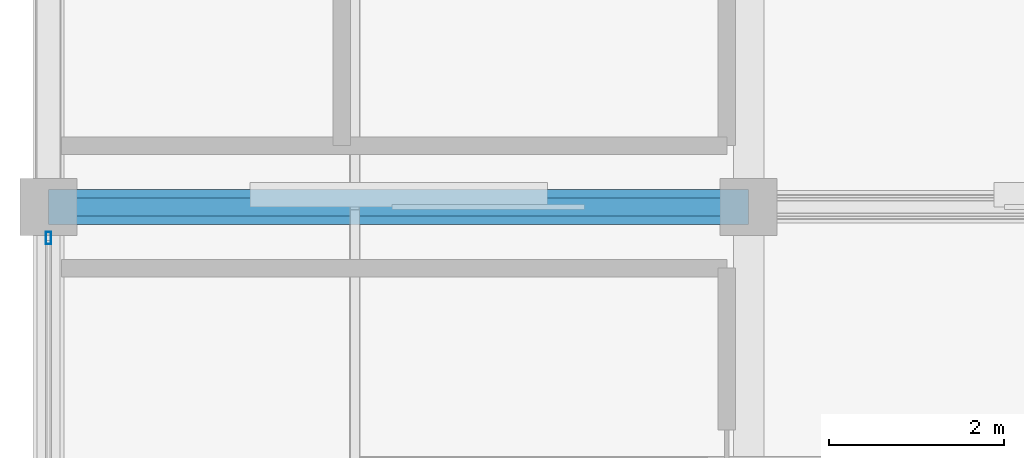
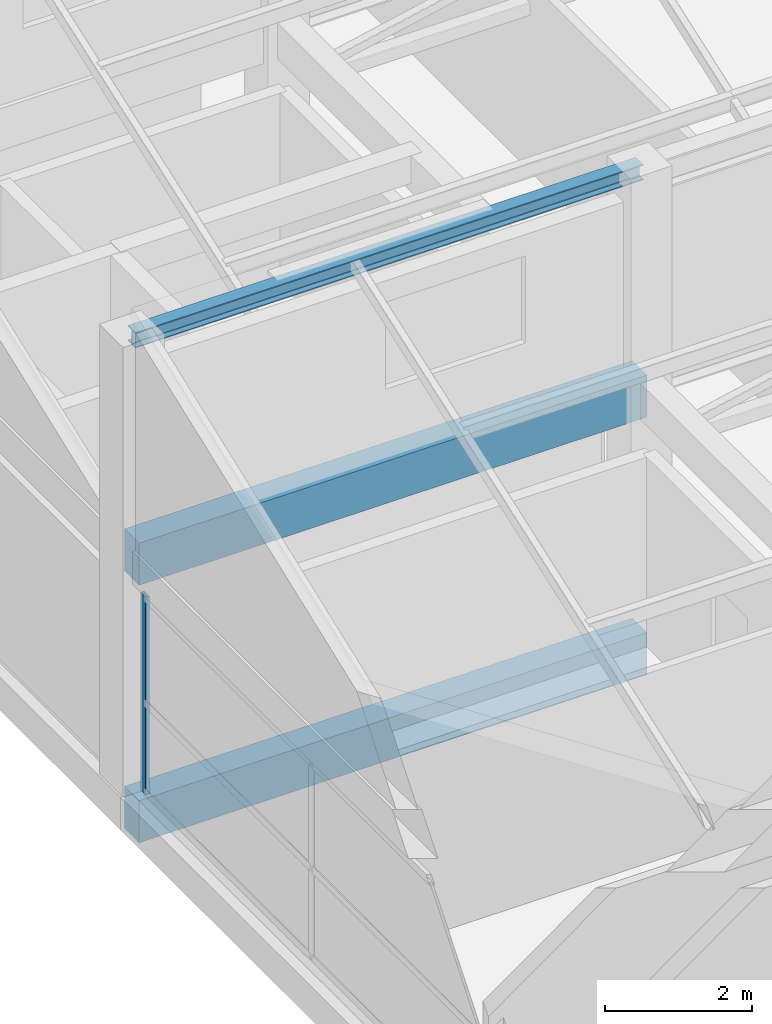
# One storey, part 17 of 35: 3 beams, 1 member, 1 element without a shape of its own.
"""IFC4 building model written with IfcOpenShell, lengths in metres."""

from ifc_helpers import new_model, si_unit, direction, frame, origin, origin_2d, place, context, subcontext, project, spatial, rectangle, hollow_rectangle, i_section, extrude, material, layer, layer_set, material_profile, profile_set, type_object, element, aggregate, save


model = new_model("IFC4")

# Units and contexts
model_context = context("Model", 3, precision=1e-05, world=origin(), true_north=direction((0.0, 1.0)))
body_context = subcontext(model_context, "Body", "Model", "MODEL_VIEW")
ifc_project = project(units=[si_unit("LENGTHUNIT", "METRE"), si_unit("AREAUNIT", "SQUARE_METRE"), si_unit("VOLUMEUNIT", "CUBIC_METRE"), si_unit("PLANEANGLEUNIT", "RADIAN"), si_unit("MASSUNIT", "GRAM", prefix="KILO")], contexts=[model_context])

# Site, building, storey
site_placement = place(None, origin())
site = spatial("IfcSite", under=ifc_project, at=site_placement, CompositionType="ELEMENT")
building_placement = place(site_placement, origin())
building = spatial("IfcBuilding", under=site, at=building_placement, Name="Sillaruma Civic Art Gallery", CompositionType="ELEMENT")
storey_placement = place(building_placement, frame((0.0, 0.0, 74.4599609375)))
storey = spatial("IfcBuildingStorey", under=building, at=storey_placement, Name="L15", CompositionType="ELEMENT", Elevation=74.4599609375)

# Beams
ifc_material_1 = material(Name="Concrete H35 (35 MPa)", Category="concrete")
ifc_material_profile_1 = material_profile(ifc_material_1, rectangle(XDim=0.39990234375, YDim=0.699951171875, at=origin_2d()), Name="RCB400x700")
ifc_profile_set_1 = profile_set([ifc_material_profile_1], Name="Concrete H35 (35 MPa)")
beam_type_1 = type_object("IfcBeamType", Name="BM-BEAM-RCB400x700", PredefinedType="BEAM", material=ifc_profile_set_1)
beam_1_placement = place(storey_placement, frame((62.0, 69.300048828125, -0.599853515625), z_axis=(1.0, 0.0, 0.0), x_axis=(0.0, 1.0, 0.0)))
element("IfcBeam", 1, at=beam_1_placement, inside=storey, type_object=beam_type_1, Name="Beam BM-04 (L14:8:F-G)", PredefinedType="BEAM", context=body_context, shape_type="SweptSolid", body=[
    extrude(rectangle(XDim=0.39990234375, YDim=0.699951171875, at=origin_2d()), origin(), (0.0, 0.0, 1.0), 8.0),
])
ifc_material_profile_2 = material_profile(ifc_material_1, rectangle(XDim=0.39990234375, YDim=0.699951171875, at=origin_2d()), Name="RCB400x700")
ifc_profile_set_2 = profile_set([ifc_material_profile_2], Name="Concrete H35 (35 MPa)")
beam_type_2 = type_object("IfcBeamType", Name="BM-ROF-RCB400x700", PredefinedType="BEAM", material=ifc_profile_set_2)
beam_2_placement = place(storey_placement, frame((62.0, 69.300048828125, 3.68994140625), z_axis=(1.0, 0.0, 0.0), x_axis=(0.0, 1.0, 0.0)))
element("IfcBeam", 2, at=beam_2_placement, inside=storey, type_object=beam_type_2, Name="Beam BRF-04 (L15:8:F-G)", PredefinedType="BEAM", context=body_context, shape_type="SweptSolid", body=[
    extrude(rectangle(XDim=0.39990234375, YDim=0.699951171875, at=origin_2d()), origin(), (0.0, 0.0, 1.0), 8.0),
])
ifc_material_2 = material(Name="Structural Steel ASTM A992 Gr.50", Category="steel")
ifc_material_profile_3 = material_profile(ifc_material_2, i_section(OverallWidth=0.2041015625, OverallDepth=0.257080078125, WebThickness=0.0087890625, FlangeThickness=0.015625, FilletRadius=0.012939453125, at=origin_2d()), Name="W250x67")
ifc_profile_set_3 = profile_set([ifc_material_profile_3], Name="Structural Steel ASTM A992 Gr.50")
beam_type_3 = type_object("IfcBeamType", Name="BM-SAW-W250x67", PredefinedType="BEAM", material=ifc_profile_set_3)
beam_3_placement = place(storey_placement, frame((62.0, 69.300048828125, 7.360107421875), z_axis=(1.0, 0.0, 0.0), x_axis=(0.0, 1.0, 0.0)))
element("IfcBeam", 3, at=beam_3_placement, inside=storey, type_object=beam_type_3, Name="Sawtooth Ridge Steel Girder (3-FG)", PredefinedType="BEAM", context=body_context, shape_type="SweptSolid", body=[
    extrude(i_section(OverallWidth=0.2041015625, OverallDepth=0.257080078125, WebThickness=0.0087890625, FlangeThickness=0.015625, FilletRadius=0.012939453125, at=origin_2d()), origin(), (0.0, 0.0, 1.0), 8.0),
])

# Curtain wall, member
ifc_material_3 = material(Name="Thermally Broken Extruded Aluminium 6063-T6", Category="aluminium")
ifc_layer = layer(ifc_material_3, 0.139892578125, Name="Thermally Broken Extruded Aluminium 6063-T6")
ifc_layer_set = layer_set([ifc_layer], Name="Thermally Broken Extruded Aluminium 6063-T6")
curtain_wall_type = type_object("IfcCurtainWallType", Name="CW-UNI-113", PredefinedType="NOTDEFINED", material=ifc_layer_set)
curtain_wall_placement = place(storey_placement, origin())
curtain_wall = element("IfcCurtainWall", 4, at=curtain_wall_placement, inside=storey, type_object=curtain_wall_type, Name="Unitised Curtain Wall CW-113 (CW-L15-WBW-5)", PredefinedType="NOTDEFINED")
ifc_material_profile_4 = material_profile(ifc_material_3, hollow_rectangle(XDim=0.06005859375, YDim=0.139892578125, WallThickness=0.00341796875, at=origin_2d()), Name="CWM60x140")
ifc_profile_set_4 = profile_set([ifc_material_profile_4], Name="Thermally Broken Extruded Aluminium 6063-T6")
member_type = type_object("IfcMemberType", Name="MEM-MUL-CWM60x140", PredefinedType="MULLION", material=ifc_profile_set_4)
member_placement = place(storey_placement, frame((62.0, 68.945068359375, 0.0), z_axis=(0.0, 0.0, 1.0), x_axis=(-1.0, 0.0, 0.0)))
member = element("IfcMember", 5, at=member_placement, type_object=member_type, Name="CW-113 mullion 3", PredefinedType="MULLION", context=body_context, shape_type="SweptSolid", body=[
    extrude(hollow_rectangle(XDim=0.06005859375, YDim=0.139892578125, WallThickness=0.00341796875, at=origin_2d()), origin(), (0.0, 0.0, 1.0), 3.2900390625),
])
aggregate(curtain_wall, [member])

save(model, "model.ifc")
